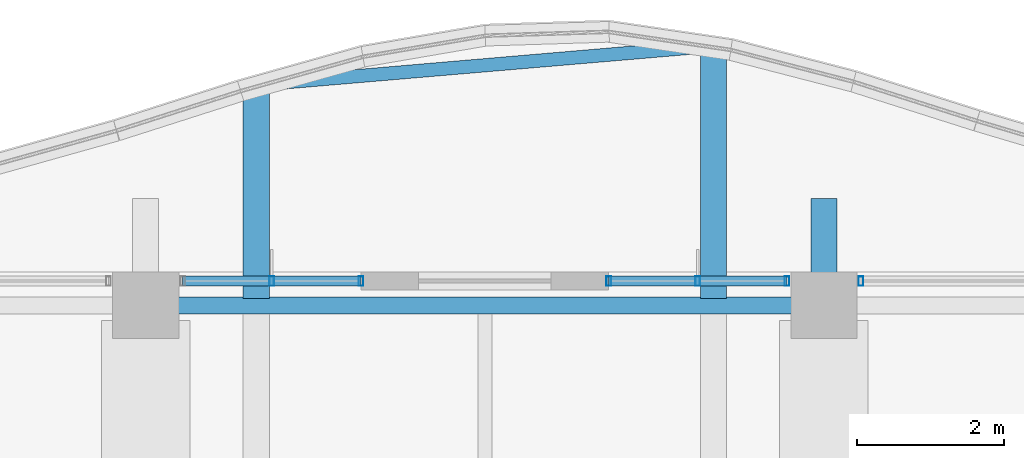
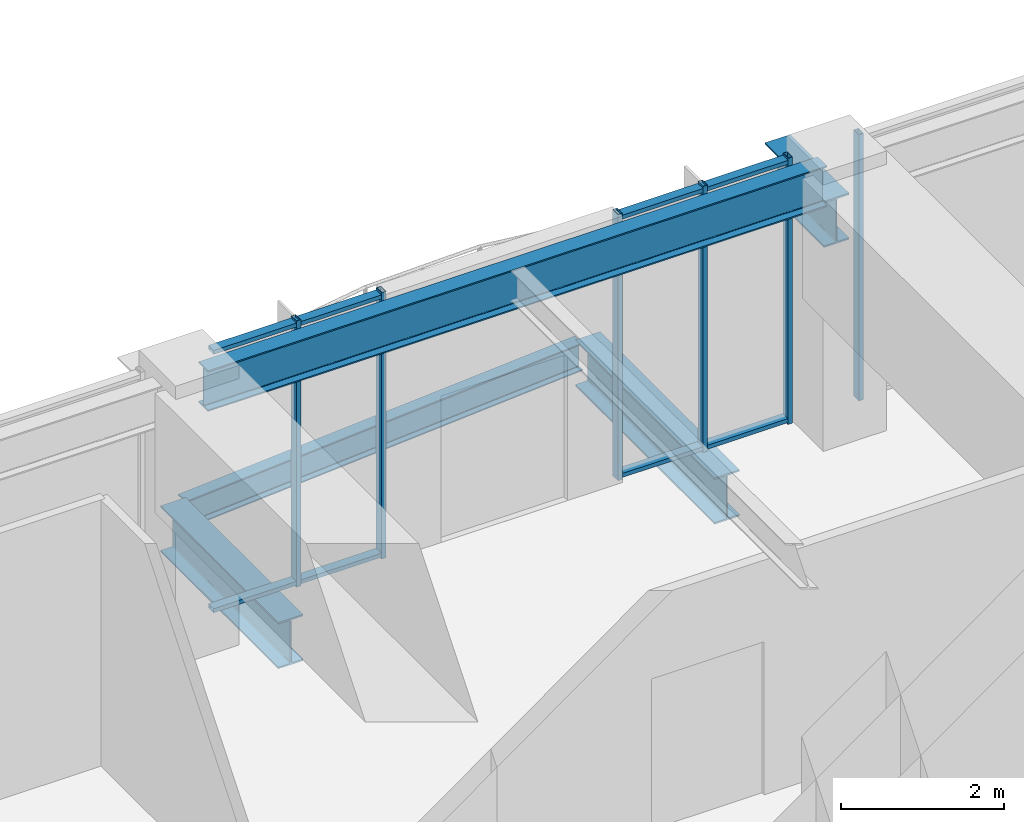
# One storey, part 18 of 33: 10 members, 5 beams, 3 elements without a shape of their own.
"""IFC4 building model written with IfcOpenShell, lengths in metres."""

from ifc_helpers import new_model, si_unit, direction, frame, origin, origin_2d, place, context, subcontext, project, spatial, hollow_rectangle, i_section, extrude, material, material_profile, profile_set, type_object, element, aggregate, save


model = new_model("IFC4")

# Units and contexts
model_context = context("Model", 3, precision=1e-05, world=origin(), true_north=direction((0.0, 1.0)))
body_context = subcontext(model_context, "Body", "Model", "MODEL_VIEW")
ifc_project = project(units=[si_unit("LENGTHUNIT", "METRE"), si_unit("AREAUNIT", "SQUARE_METRE"), si_unit("VOLUMEUNIT", "CUBIC_METRE"), si_unit("PLANEANGLEUNIT", "RADIAN"), si_unit("MASSUNIT", "GRAM", prefix="KILO")], contexts=[model_context])

# Site, building, storey
site_placement = place(None, origin())
site = spatial("IfcSite", under=ifc_project, at=site_placement, CompositionType="ELEMENT")
building_placement = place(site_placement, origin())
building = spatial("IfcBuilding", under=site, at=building_placement, Name="Kolvaren Belvedere", CompositionType="ELEMENT")
storey_placement = place(building_placement, frame((0.0, 0.0, 152.699951171875)))
storey = spatial("IfcBuildingStorey", under=building, at=storey_placement, Name="L44", CompositionType="ELEMENT", Elevation=152.699951171875)

# Beams
ifc_material_1 = material(Name="Structural steel ASTM A992 Grade 50", Category="steel")
ifc_material_profile_1 = material_profile(ifc_material_1, i_section(OverallWidth=0.35498046875, OverallDepth=0.696044921875, WebThickness=0.015380859375, FlangeThickness=0.02490234375, FilletRadius=0.02197265625, at=origin_2d()), Name="W27X146")
ifc_profile_set_1 = profile_set([ifc_material_profile_1], Name="Structural steel ASTM A992 Grade 50")
beam_type_1 = type_object("IfcBeamType", Name="BM-CANT-BAL", PredefinedType="BEAM", material=ifc_profile_set_1)
beam_1_placement = place(storey_placement, frame((-3.10009765625, 18.7451171875, -0.64794921875), z_axis=(0.0, 1.0, 0.0), x_axis=(-1.0, 0.0, 0.0)))
element("IfcBeam", 1, at=beam_1_placement, inside=storey, type_object=beam_type_1, Name="L44 Planted Balcony Cantilever BAL-N-1", PredefinedType="BEAM", context=body_context, shape_type="SweptSolid", body=[
    extrude(i_section(OverallWidth=0.35498046875, OverallDepth=0.696044921875, WebThickness=0.015380859375, FlangeThickness=0.02490234375, FilletRadius=0.02197265625, at=origin_2d()), origin(), (0.0, 0.0, 1.0), 2.896240234375),
])
beam_2_placement = place(storey_placement, frame((3.10009765625, 18.7451171875, -0.64794921875), z_axis=(0.0, 1.0, 0.0), x_axis=(-1.0, 0.0, 0.0)))
element("IfcBeam", 2, at=beam_2_placement, inside=storey, type_object=beam_type_1, Name="L44 Planted Balcony Cantilever BAL-N-2", PredefinedType="BEAM", context=body_context, shape_type="SweptSolid", body=[
    extrude(i_section(OverallWidth=0.35498046875, OverallDepth=0.696044921875, WebThickness=0.015380859375, FlangeThickness=0.02490234375, FilletRadius=0.02197265625, at=origin_2d()), origin(), (0.0, 0.0, 1.0), 3.42529296875),
])
beam_3_placement = place(storey_placement, frame((4.60009765625, 18.64990234375, 3.0419921875), z_axis=(0.0, 1.0, 0.0), x_axis=(-1.0, 0.0, 0.0)))
element("IfcBeam", 3, at=beam_3_placement, inside=storey, type_object=beam_type_1, Name="L44 North Picture-Frame Column Corbel P", PredefinedType="BEAM", context=body_context, shape_type="SweptSolid", body=[
    extrude(i_section(OverallWidth=0.35498046875, OverallDepth=0.696044921875, WebThickness=0.015380859375, FlangeThickness=0.02490234375, FilletRadius=0.02197265625, at=origin_2d()), origin(), (0.0, 0.0, 1.0), 1.4501953125),
])
ifc_material_2 = material(Name="Structural steel ASTM A992 Grade 50", Category="steel")
ifc_material_profile_2 = material_profile(ifc_material_2, i_section(OverallWidth=0.180908203125, OverallDepth=0.4169921875, WebThickness=0.010986328125, FlangeThickness=0.018310546875, FilletRadius=0.013916015625, at=origin_2d()), Name="W16X57")
ifc_profile_set_2 = profile_set([ifc_material_profile_2], Name="Structural steel ASTM A992 Grade 50")
beam_type_2 = type_object("IfcBeamType", Name="BM-EDGE-W16X57", PredefinedType="BEAM", material=ifc_profile_set_2)
beam_4_placement = place(storey_placement, frame((-2.96044921875, 21.6533203125, -0.508544921875), z_axis=(0.996377148781, 0.08504456119, 0.0), x_axis=(-0.08504456119, 0.996377148781, 0.0)))
element("IfcBeam", 4, at=beam_4_placement, inside=storey, type_object=beam_type_2, Name="L44 Balcony Tip Header Beam BAL-N", PredefinedType="BEAM", context=body_context, shape_type="SweptSolid", body=[
    extrude(i_section(OverallWidth=0.180908203125, OverallDepth=0.4169921875, WebThickness=0.010986328125, FlangeThickness=0.018310546875, FilletRadius=0.013916015625, at=origin_2d()), origin(), (0.0, 0.0, 1.0), 5.9423828125),
])
ifc_material_3 = material(Name="Structural steel ASTM A992 Grade 50", Category="steel")
ifc_material_profile_3 = material_profile(ifc_material_3, i_section(OverallWidth=0.22900390625, OverallDepth=0.612060546875, WebThickness=0.011962890625, FlangeThickness=0.01953125, FilletRadius=0.01806640625, at=origin_2d()), Name="W24X84")
ifc_profile_set_3 = profile_set([ifc_material_profile_3], Name="Structural steel ASTM A992 Grade 50")
beam_type_3 = type_object("IfcBeamType", Name="BM-SPAN-W24X84", PredefinedType="SPANDREL", material=ifc_profile_set_3)
beam_5_placement = place(storey_placement, frame((4.3974609375, 18.64990234375, 3.694091796875), z_axis=(-1.0, 0.0, 0.0), x_axis=(0.0, -1.0, 0.0)))
element("IfcBeam", 5, at=beam_5_placement, inside=storey, type_object=beam_type_3, Name="L44 Perimeter Spandrel N3-N2", PredefinedType="SPANDREL", context=body_context, shape_type="SweptSolid", body=[
    extrude(i_section(OverallWidth=0.22900390625, OverallDepth=0.612060546875, WebThickness=0.011962890625, FlangeThickness=0.01953125, FilletRadius=0.01806640625, at=origin_2d()), origin(), (0.0, 0.0, 1.0), 8.794921875),
])

# Curtain wall, members
ifc_material_4 = material(Name="Anodised pale-metal aluminium AA 6063-T6", Category="aluminium")
curtain_wall_type = type_object("IfcCurtainWallType", Name="CW-Z3-WAIST", PredefinedType="NOTDEFINED", material=ifc_material_4)
curtain_wall_1_placement = place(storey_placement, origin())
curtain_wall_1 = element("IfcCurtainWall", 6, at=curtain_wall_1_placement, inside=storey, type_object=curtain_wall_type, Name="L44 Unitised Curtain Wall FCW-L44-N1-B2", PredefinedType="NOTDEFINED")
ifc_material_5 = material(Name="Anodised pale-metal aluminium AA 6063-T6", Category="aluminium")
ifc_material_profile_4 = material_profile(ifc_material_5, hollow_rectangle(XDim=0.06494140625, YDim=0.1298828125, WallThickness=0.00390625, at=origin_2d()), Name="ALU-MUL-130X65")
ifc_profile_set_4 = profile_set([ifc_material_profile_4], Name="Anodised pale-metal aluminium AA 6063-T6")
member_type_1 = type_object("IfcMemberType", Name="CW-MUL-130", PredefinedType="MULLION", material=ifc_profile_set_4)
member_1_placement = place(storey_placement, frame((-2.888671875, 18.97998046875, 0.0), z_axis=(0.0, 0.0, 1.0), x_axis=(1.0, 0.0, 0.0)))
member_1 = element("IfcMember", 7, at=member_1_placement, type_object=member_type_1, Name="FCW-L44-N1-B2 Unitised Mullion 2", PredefinedType="MULLION", context=body_context, shape_type="SweptSolid", body=[
    extrude(hollow_rectangle(XDim=0.06494140625, YDim=0.1298828125, WallThickness=0.00390625, at=origin_2d()), origin(), (0.0, 0.0, 1.0), 4.0),
])
member_2_placement = place(storey_placement, frame((-1.679931640625, 18.97998046875, 0.0), z_axis=(0.0, 0.0, 1.0), x_axis=(1.0, 0.0, 0.0)))
member_2 = element("IfcMember", 8, at=member_2_placement, type_object=member_type_1, Name="FCW-L44-N1-B2 Unitised Mullion 3", PredefinedType="MULLION", context=body_context, shape_type="SweptSolid", body=[
    extrude(hollow_rectangle(XDim=0.06494140625, YDim=0.1298828125, WallThickness=0.00390625, at=origin_2d()), origin(), (0.0, 0.0, 1.0), 4.0),
])

curtain_wall_2_placement = place(storey_placement, origin())
curtain_wall_2 = element("IfcCurtainWall", 9, at=curtain_wall_2_placement, inside=storey, type_object=curtain_wall_type, Name="L44 Unitised Curtain Wall FCW-L44-N2-B1", PredefinedType="NOTDEFINED")
member_3_placement = place(storey_placement, frame((1.679931640625, 18.97998046875, 0.0), z_axis=(0.0, 0.0, 1.0), x_axis=(1.0, 0.0, 0.0)))
member_3 = element("IfcMember", 10, at=member_3_placement, type_object=member_type_1, Name="FCW-L44-N2-B1 Unitised Mullion 1", PredefinedType="MULLION", context=body_context, shape_type="SweptSolid", body=[
    extrude(hollow_rectangle(XDim=0.06494140625, YDim=0.1298828125, WallThickness=0.00390625, at=origin_2d()), origin(), (0.0, 0.0, 1.0), 4.0),
])
member_4_placement = place(storey_placement, frame((2.888671875, 18.97998046875, 0.0), z_axis=(0.0, 0.0, 1.0), x_axis=(1.0, 0.0, 0.0)))
member_4 = element("IfcMember", 11, at=member_4_placement, type_object=member_type_1, Name="FCW-L44-N2-B1 Unitised Mullion 2", PredefinedType="MULLION", context=body_context, shape_type="SweptSolid", body=[
    extrude(hollow_rectangle(XDim=0.06494140625, YDim=0.1298828125, WallThickness=0.00390625, at=origin_2d()), origin(), (0.0, 0.0, 1.0), 4.0),
])
member_5_placement = place(storey_placement, frame((4.097412109375, 18.97998046875, 0.0), z_axis=(0.0, 0.0, 1.0), x_axis=(1.0, 0.0, 0.0)))
member_5 = element("IfcMember", 12, at=member_5_placement, type_object=member_type_1, Name="FCW-L44-N2-B1 Unitised Mullion 3", PredefinedType="MULLION", context=body_context, shape_type="SweptSolid", body=[
    extrude(hollow_rectangle(XDim=0.06494140625, YDim=0.1298828125, WallThickness=0.00390625, at=origin_2d()), origin(), (0.0, 0.0, 1.0), 4.0),
])

# Curtain wall, member
curtain_wall_3_placement = place(storey_placement, origin())
curtain_wall_3 = element("IfcCurtainWall", 13, at=curtain_wall_3_placement, inside=storey, type_object=curtain_wall_type, Name="L44 Unitised Curtain Wall FCW-L44-N2-B2", PredefinedType="NOTDEFINED")
member_6_placement = place(storey_placement, frame((5.1025390625, 18.97998046875, 0.0), z_axis=(0.0, 0.0, 1.0), x_axis=(1.0, 0.0, 0.0)))
member_6 = element("IfcMember", 14, at=member_6_placement, type_object=member_type_1, Name="FCW-L44-N2-B2 Unitised Mullion 1", PredefinedType="MULLION", context=body_context, shape_type="SweptSolid", body=[
    extrude(hollow_rectangle(XDim=0.06494140625, YDim=0.1298828125, WallThickness=0.00390625, at=origin_2d()), origin(), (0.0, 0.0, 1.0), 4.0),
])
aggregate(curtain_wall_3, [member_6])

# Member
ifc_material_6 = material(Name="Anodised pale-metal aluminium AA 6063-T6", Category="aluminium")
ifc_material_profile_5 = material_profile(ifc_material_6, hollow_rectangle(XDim=0.06005859375, YDim=0.1298828125, WallThickness=0.00390625, at=origin_2d()), Name="ALU-TRN-130X60")
ifc_profile_set_5 = profile_set([ifc_material_profile_5], Name="Anodised pale-metal aluminium AA 6063-T6")
member_type_2 = type_object("IfcMemberType", Name="CW-TRN-130", PredefinedType="USERDEFINED", material=ifc_profile_set_5)
member_7_placement = place(storey_placement, frame((-4.097412109375, 18.97998046875, 0.06005859375), z_axis=(1.0, 0.0, 0.0), x_axis=(0.0, 0.0, 1.0)))
member_7 = element("IfcMember", 15, at=member_7_placement, type_object=member_type_2, Name="FCW-L44-N1-B2 Sill Transom", ObjectType="TRANSOM", PredefinedType="USERDEFINED", context=body_context, shape_type="SweptSolid", body=[
    extrude(hollow_rectangle(XDim=0.06005859375, YDim=0.1298828125, WallThickness=0.00390625, at=origin_2d()), origin(), (0.0, 0.0, 1.0), 2.41748046875),
])

member_8_placement = place(storey_placement, frame((-4.097412109375, 18.97998046875, 3.93994140625), z_axis=(1.0, 0.0, 0.0), x_axis=(0.0, 0.0, 1.0)))
member_8 = element("IfcMember", 16, at=member_8_placement, type_object=member_type_2, Name="FCW-L44-N1-B2 Head Transom", ObjectType="TRANSOM", PredefinedType="USERDEFINED", context=body_context, shape_type="SweptSolid", body=[
    extrude(hollow_rectangle(XDim=0.06005859375, YDim=0.1298828125, WallThickness=0.00390625, at=origin_2d()), origin(), (0.0, 0.0, 1.0), 2.41748046875),
])

aggregate(curtain_wall_1, [member_1, member_2, member_7, member_8])

member_9_placement = place(storey_placement, frame((1.679931640625, 18.97998046875, 0.06005859375), z_axis=(1.0, 0.0, 0.0), x_axis=(0.0, 0.0, 1.0)))
member_9 = element("IfcMember", 17, at=member_9_placement, type_object=member_type_2, Name="FCW-L44-N2-B1 Sill Transom", ObjectType="TRANSOM", PredefinedType="USERDEFINED", context=body_context, shape_type="SweptSolid", body=[
    extrude(hollow_rectangle(XDim=0.06005859375, YDim=0.1298828125, WallThickness=0.00390625, at=origin_2d()), origin(), (0.0, 0.0, 1.0), 2.41748046875),
])

member_10_placement = place(storey_placement, frame((1.679931640625, 18.97998046875, 3.93994140625), z_axis=(1.0, 0.0, 0.0), x_axis=(0.0, 0.0, 1.0)))
member_10 = element("IfcMember", 18, at=member_10_placement, type_object=member_type_2, Name="FCW-L44-N2-B1 Head Transom", ObjectType="TRANSOM", PredefinedType="USERDEFINED", context=body_context, shape_type="SweptSolid", body=[
    extrude(hollow_rectangle(XDim=0.06005859375, YDim=0.1298828125, WallThickness=0.00390625, at=origin_2d()), origin(), (0.0, 0.0, 1.0), 2.41748046875),
])

aggregate(curtain_wall_2, [member_3, member_4, member_5, member_9, member_10])

save(model, "model.ifc")
